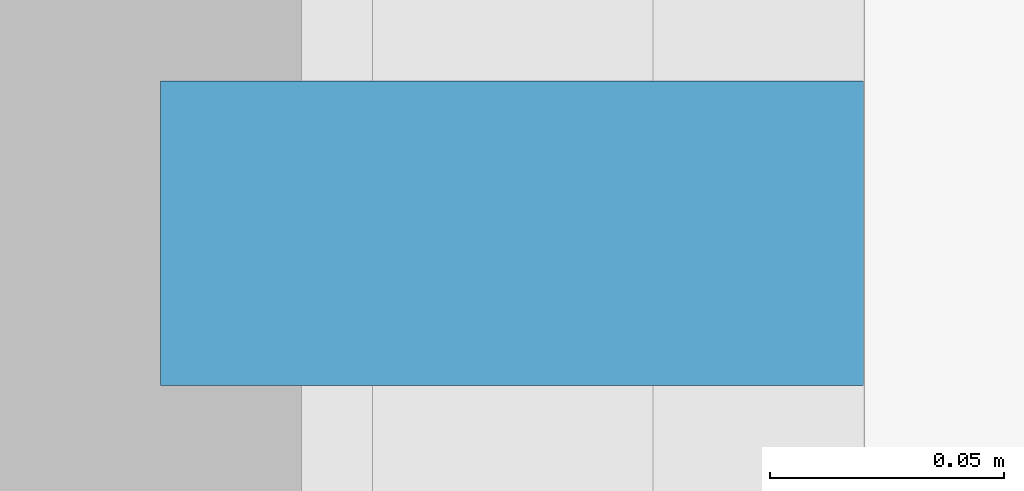
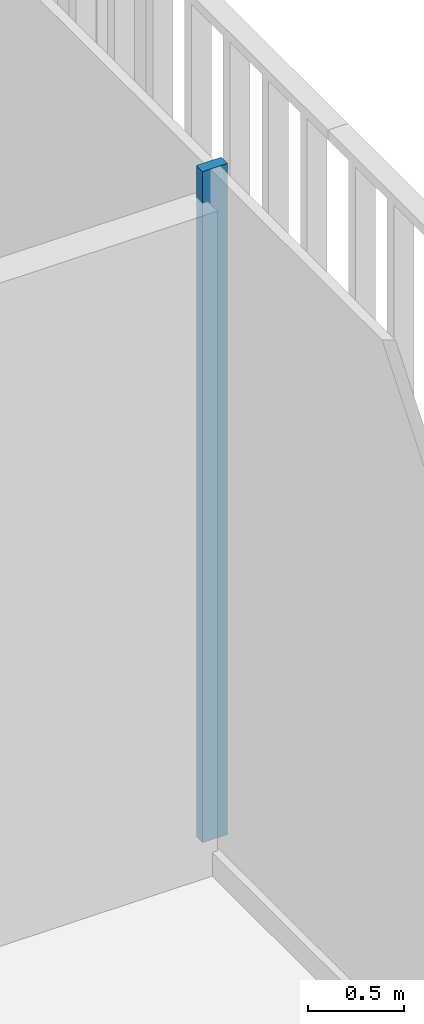
# One storey, part 10 of 21: 1 member, 1 element without a shape of its own.
"""IFC4 building model written with IfcOpenShell, lengths in metres."""

from ifc_helpers import new_model, si_unit, direction, frame, origin, origin_2d, place, context, subcontext, project, spatial, rectangle, extrude, material, layer, layer_set, material_profile, profile_set, type_object, element, aggregate, save


model = new_model("IFC4")

# Units and contexts
model_context = context("Model", 3, precision=1e-05, world=origin(), true_north=direction((0.0, 1.0)))
body_context = subcontext(model_context, "Body", "Model", "MODEL_VIEW")
ifc_project = project(units=[si_unit("LENGTHUNIT", "METRE"), si_unit("AREAUNIT", "SQUARE_METRE"), si_unit("VOLUMEUNIT", "CUBIC_METRE"), si_unit("PLANEANGLEUNIT", "RADIAN"), si_unit("MASSUNIT", "GRAM", prefix="KILO")], contexts=[model_context])

# Site, building, storey
site_placement = place(None, origin())
site = spatial("IfcSite", under=ifc_project, at=site_placement, CompositionType="ELEMENT")
building_placement = place(site_placement, origin())
building = spatial("IfcBuilding", under=site, at=building_placement, Name="Millrace Tower", CompositionType="ELEMENT")
storey_placement = place(building_placement, frame((0.0, 0.0, 73.199951171875)))
storey = spatial("IfcBuildingStorey", under=building, at=storey_placement, Name="L16", CompositionType="ELEMENT", Elevation=73.199951171875)

# Curtain wall, member
ifc_material_1 = material(Name="Aluminium and glass", Category="aluminium")
ifc_layer = layer(ifc_material_1, 0.14990234375)
ifc_layer_set = layer_set([ifc_layer], Name="Aluminium and glass")
curtain_wall_type = type_object("IfcCurtainWallType", Name="CW-3 telecom floor curtain wall", PredefinedType="NOTDEFINED", material=ifc_layer_set)
curtain_wall_placement = place(storey_placement, origin())
curtain_wall = element("IfcCurtainWall", 1, at=curtain_wall_placement, inside=storey, type_object=curtain_wall_type, Name="Curtain wall B-F04 L16", PredefinedType="NOTDEFINED")
ifc_material_2 = material(Name="Aluminium", Category="aluminium")
ifc_material_profile = material_profile(ifc_material_2, rectangle(XDim=0.06494140625, YDim=0.14990234375, at=origin_2d()))
ifc_profile_set = profile_set([ifc_material_profile], Name="Aluminium")
member_type = type_object("IfcMemberType", Name="CW-3 telecom floor curtain wall mullion", PredefinedType="MULLION", material=ifc_profile_set)
member_placement = place(storey_placement, frame((28.27490234375, -2.66748046875, 0.150146484375), z_axis=(0.0, 0.0, 1.0), x_axis=(0.0, 1.0, 0.0)))
member = element("IfcMember", 2, at=member_placement, type_object=member_type, Name="CW3 mullion B-F04.6", PredefinedType="MULLION", context=body_context, shape_type="SweptSolid", body=[
    extrude(rectangle(XDim=0.06494140625, YDim=0.14990234375, at=origin_2d()), origin(), (0.0, 0.0, 1.0), 4.25),
])
aggregate(curtain_wall, [member])

save(model, "model.ifc")
